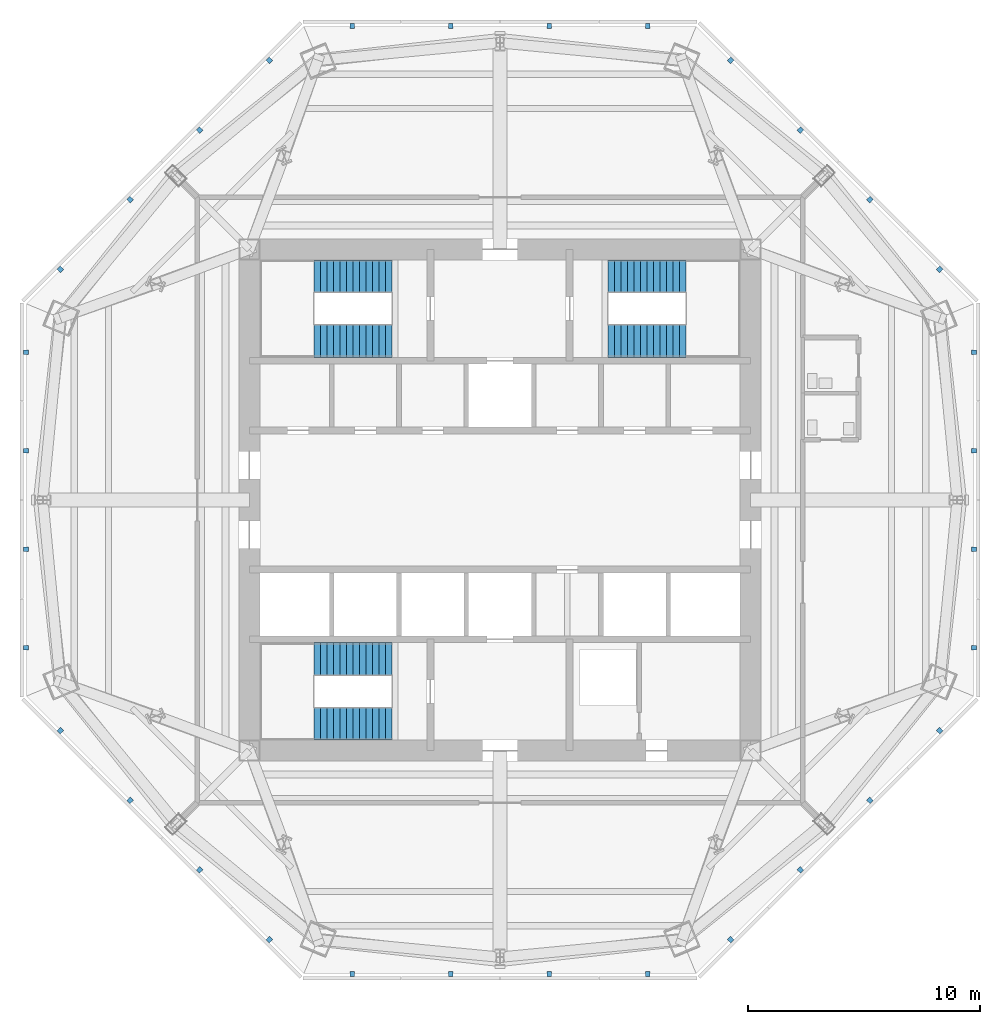
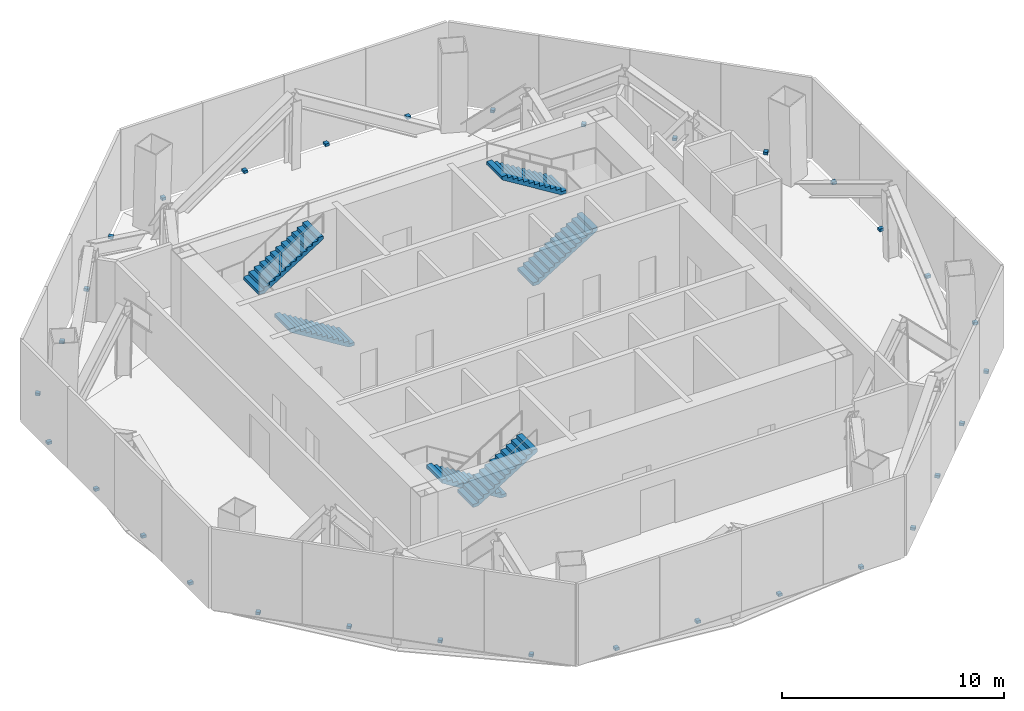
# One storey, part 5 of 8: 32 discrete accessories, 6 stair flights, 3 elements without a shape of their own.
"""IFC4 building model written with IfcOpenShell, lengths in metres."""

from ifc_helpers import new_model, si_unit, direction, frame, origin, origin_2d, place, context, subcontext, project, spatial, polyline, rectangle, outline, extrude, source, transform, mapped, material, type_object, type_shapes, element, aggregate, save


model = new_model("IFC4")

# Units and contexts
model_context = context("Model", 3, precision=1e-05, world=origin(), true_north=direction((0.0, 1.0)))
body_context = subcontext(model_context, "Body", "Model", "MODEL_VIEW")
ifc_project = project(units=[si_unit("LENGTHUNIT", "METRE"), si_unit("AREAUNIT", "SQUARE_METRE"), si_unit("VOLUMEUNIT", "CUBIC_METRE"), si_unit("PLANEANGLEUNIT", "RADIAN"), si_unit("MASSUNIT", "GRAM", prefix="KILO")], contexts=[model_context])

# Site, building, storey
site_placement = place(None, origin())
site = spatial("IfcSite", under=ifc_project, at=site_placement, CompositionType="ELEMENT")
building_placement = place(site_placement, origin())
building = spatial("IfcBuilding", under=site, at=building_placement, Name="Mashrafa Tower", CompositionType="ELEMENT")
storey_placement = place(building_placement, frame((0.0, 0.0, 261.800048828125)))
storey = spatial("IfcBuildingStorey", under=building, at=storey_placement, Name="L63", CompositionType="ELEMENT", Elevation=261.800048828125)

# Stair, stair flights
ifc_material_1 = material(Name="Exit stair 1400")
stair_type = type_object("IfcStairType", Name="Exit stair 1400", PredefinedType="HALF_TURN_STAIR", material=ifc_material_1)
stair_1_placement = place(storey_placement, origin())
stair_1 = element("IfcStair", 1, at=stair_1_placement, inside=storey, type_object=stair_type, Name="Stair S1 L63", PredefinedType="HALF_TURN_STAIR")
ifc_material_2 = material(Name="Concrete C32/40", Category="concrete")
stair_flight_type = type_object("IfcStairFlightType", Name="Stair flight 1400", PredefinedType="STRAIGHT", material=ifc_material_2)
stair_flight_1_placement = place(storey_placement, frame((-4.64990234375, 6.85009765625, 0.0), z_axis=(0.0, 0.0, 1.0), x_axis=(-1.0, 0.0, 0.0)))
stair_flight_1 = element("IfcStairFlight", 2, at=stair_flight_1_placement, type_object=stair_flight_type, Name="S1 flight 1", NumberOfRisers=13, NumberOfTreads=12, PredefinedType="STRAIGHT", RiserHeight=0.173076923, TreadLength=0.28, context=body_context, shape_type="SweptSolid", body=[
    extrude(outline(polyline([(0.0, 0.0), (0.0, 0.173095703125), (0.280029296875, 0.173095703125), (0.280029296875, 0.34619140625), (0.56005859375, 0.34619140625), (0.56005859375, 0.519287109375), (0.840087890625, 0.519287109375), (0.840087890625, 0.6923828125), (1.1201171875, 0.6923828125), (1.1201171875, 0.865478515625), (1.39990234375, 0.865478515625), (1.39990234375, 1.03857421875), (1.679931640625, 1.03857421875), (1.679931640625, 1.21142578125), (1.9599609375, 1.21142578125), (1.9599609375, 1.384521484375), (2.239990234375, 1.384521484375), (2.239990234375, 1.5576171875), (2.52001953125, 1.5576171875), (2.52001953125, 1.730712890625), (2.800048828125, 1.730712890625), (2.800048828125, 1.90380859375), (3.080078125, 1.90380859375), (3.080078125, 2.076904296875), (3.360107421875, 2.076904296875), (3.360107421875, 2.25), (3.360107421875, 1.900634765625), (0.28515625, 0.0), (0.0, 0.0)])), frame((0.0, 0.699951171875, 0.0), z_axis=(0.0, -1.0, 0.0), x_axis=(1.0, 0.0, 0.0)), (0.0, 0.0, 1.0), 1.39990234375),
])
stair_flight_2_placement = place(storey_placement, frame((-8.010009765625, 9.64990234375, 2.25), z_axis=(0.0, 0.0, 1.0), x_axis=(1.0, 0.0, 0.0)))
stair_flight_2 = element("IfcStairFlight", 3, at=stair_flight_2_placement, type_object=stair_flight_type, Name="S1 flight 2", NumberOfRisers=13, NumberOfTreads=12, PredefinedType="STRAIGHT", RiserHeight=0.173076923, TreadLength=0.28, context=body_context, shape_type="SweptSolid", body=[
    extrude(outline(polyline([(0.0, 0.0), (0.0, 0.173095703125), (0.280029296875, 0.173095703125), (0.280029296875, 0.34619140625), (0.56005859375, 0.34619140625), (0.56005859375, 0.519287109375), (0.840087890625, 0.519287109375), (0.840087890625, 0.6923828125), (1.1201171875, 0.6923828125), (1.1201171875, 0.865478515625), (1.39990234375, 0.865478515625), (1.39990234375, 1.03857421875), (1.679931640625, 1.03857421875), (1.679931640625, 1.21142578125), (1.9599609375, 1.21142578125), (1.9599609375, 1.384521484375), (2.239990234375, 1.384521484375), (2.239990234375, 1.5576171875), (2.52001953125, 1.5576171875), (2.52001953125, 1.730712890625), (2.800048828125, 1.730712890625), (2.800048828125, 1.90380859375), (3.080078125, 1.90380859375), (3.080078125, 2.076904296875), (3.360107421875, 2.076904296875), (3.360107421875, 2.25), (3.360107421875, 1.900634765625), (0.28515625, 0.0), (0.0, 0.0)])), frame((0.0, 0.699951171875, 0.0), z_axis=(0.0, -1.0, 0.0), x_axis=(1.0, 0.0, 0.0)), (0.0, 0.0, 1.0), 1.39990234375),
])
aggregate(stair_1, [stair_flight_1, stair_flight_2])

stair_2_placement = place(storey_placement, origin())
stair_2 = element("IfcStair", 4, at=stair_2_placement, inside=storey, type_object=stair_type, Name="Stair S2 L63", PredefinedType="HALF_TURN_STAIR")
stair_flight_3_placement = place(storey_placement, frame((4.64990234375, 6.85009765625, 0.0), z_axis=(0.0, 0.0, 1.0), x_axis=(1.0, 0.0, 0.0)))
stair_flight_3 = element("IfcStairFlight", 5, at=stair_flight_3_placement, type_object=stair_flight_type, Name="S2 flight 1", NumberOfRisers=13, NumberOfTreads=12, PredefinedType="STRAIGHT", RiserHeight=0.173076923, TreadLength=0.28, context=body_context, shape_type="SweptSolid", body=[
    extrude(outline(polyline([(0.0, 0.0), (0.0, 0.173095703125), (0.280029296875, 0.173095703125), (0.280029296875, 0.34619140625), (0.56005859375, 0.34619140625), (0.56005859375, 0.519287109375), (0.840087890625, 0.519287109375), (0.840087890625, 0.6923828125), (1.1201171875, 0.6923828125), (1.1201171875, 0.865478515625), (1.39990234375, 0.865478515625), (1.39990234375, 1.03857421875), (1.679931640625, 1.03857421875), (1.679931640625, 1.21142578125), (1.9599609375, 1.21142578125), (1.9599609375, 1.384521484375), (2.239990234375, 1.384521484375), (2.239990234375, 1.5576171875), (2.52001953125, 1.5576171875), (2.52001953125, 1.730712890625), (2.800048828125, 1.730712890625), (2.800048828125, 1.90380859375), (3.080078125, 1.90380859375), (3.080078125, 2.076904296875), (3.360107421875, 2.076904296875), (3.360107421875, 2.25), (3.360107421875, 1.900634765625), (0.28515625, 0.0), (0.0, 0.0)])), frame((0.0, 0.699951171875, 0.0), z_axis=(0.0, -1.0, 0.0), x_axis=(1.0, 0.0, 0.0)), (0.0, 0.0, 1.0), 1.39990234375),
])
stair_flight_4_placement = place(storey_placement, frame((8.010009765625, 9.64990234375, 2.25), z_axis=(0.0, 0.0, 1.0), x_axis=(-1.0, 0.0, 0.0)))
stair_flight_4 = element("IfcStairFlight", 6, at=stair_flight_4_placement, type_object=stair_flight_type, Name="S2 flight 2", NumberOfRisers=13, NumberOfTreads=12, PredefinedType="STRAIGHT", RiserHeight=0.173076923, TreadLength=0.28, context=body_context, shape_type="SweptSolid", body=[
    extrude(outline(polyline([(0.0, 0.0), (0.0, 0.173095703125), (0.280029296875, 0.173095703125), (0.280029296875, 0.34619140625), (0.56005859375, 0.34619140625), (0.56005859375, 0.519287109375), (0.840087890625, 0.519287109375), (0.840087890625, 0.6923828125), (1.1201171875, 0.6923828125), (1.1201171875, 0.865478515625), (1.39990234375, 0.865478515625), (1.39990234375, 1.03857421875), (1.679931640625, 1.03857421875), (1.679931640625, 1.21142578125), (1.9599609375, 1.21142578125), (1.9599609375, 1.384521484375), (2.239990234375, 1.384521484375), (2.239990234375, 1.5576171875), (2.52001953125, 1.5576171875), (2.52001953125, 1.730712890625), (2.800048828125, 1.730712890625), (2.800048828125, 1.90380859375), (3.080078125, 1.90380859375), (3.080078125, 2.076904296875), (3.360107421875, 2.076904296875), (3.360107421875, 2.25), (3.360107421875, 1.900634765625), (0.28515625, 0.0), (0.0, 0.0)])), frame((0.0, 0.699951171875, 0.0), z_axis=(0.0, -1.0, 0.0), x_axis=(1.0, 0.0, 0.0)), (0.0, 0.0, 1.0), 1.39990234375),
])
aggregate(stair_2, [stair_flight_3, stair_flight_4])

stair_3_placement = place(storey_placement, origin())
stair_3 = element("IfcStair", 7, at=stair_3_placement, inside=storey, type_object=stair_type, Name="Stair S3 L63", PredefinedType="HALF_TURN_STAIR")
stair_flight_5_placement = place(storey_placement, frame((-4.64990234375, -6.85009765625, 0.0), z_axis=(0.0, 0.0, 1.0), x_axis=(-1.0, 0.0, 0.0)))
stair_flight_5 = element("IfcStairFlight", 8, at=stair_flight_5_placement, type_object=stair_flight_type, Name="S3 flight 1", NumberOfRisers=13, NumberOfTreads=12, PredefinedType="STRAIGHT", RiserHeight=0.173076923, TreadLength=0.28, context=body_context, shape_type="SweptSolid", body=[
    extrude(outline(polyline([(0.0, 0.0), (0.0, 0.173095703125), (0.280029296875, 0.173095703125), (0.280029296875, 0.34619140625), (0.56005859375, 0.34619140625), (0.56005859375, 0.519287109375), (0.840087890625, 0.519287109375), (0.840087890625, 0.6923828125), (1.1201171875, 0.6923828125), (1.1201171875, 0.865478515625), (1.39990234375, 0.865478515625), (1.39990234375, 1.03857421875), (1.679931640625, 1.03857421875), (1.679931640625, 1.21142578125), (1.9599609375, 1.21142578125), (1.9599609375, 1.384521484375), (2.239990234375, 1.384521484375), (2.239990234375, 1.5576171875), (2.52001953125, 1.5576171875), (2.52001953125, 1.730712890625), (2.800048828125, 1.730712890625), (2.800048828125, 1.90380859375), (3.080078125, 1.90380859375), (3.080078125, 2.076904296875), (3.360107421875, 2.076904296875), (3.360107421875, 2.25), (3.360107421875, 1.900634765625), (0.28515625, 0.0), (0.0, 0.0)])), frame((0.0, 0.699951171875, 0.0), z_axis=(0.0, -1.0, 0.0), x_axis=(1.0, 0.0, 0.0)), (0.0, 0.0, 1.0), 1.39990234375),
])
stair_flight_6_placement = place(storey_placement, frame((-8.010009765625, -9.64990234375, 2.25), z_axis=(0.0, 0.0, 1.0), x_axis=(1.0, 0.0, 0.0)))
stair_flight_6 = element("IfcStairFlight", 9, at=stair_flight_6_placement, type_object=stair_flight_type, Name="S3 flight 2", NumberOfRisers=13, NumberOfTreads=12, PredefinedType="STRAIGHT", RiserHeight=0.173076923, TreadLength=0.28, context=body_context, shape_type="SweptSolid", body=[
    extrude(outline(polyline([(0.0, 0.0), (0.0, 0.173095703125), (0.280029296875, 0.173095703125), (0.280029296875, 0.34619140625), (0.56005859375, 0.34619140625), (0.56005859375, 0.519287109375), (0.840087890625, 0.519287109375), (0.840087890625, 0.6923828125), (1.1201171875, 0.6923828125), (1.1201171875, 0.865478515625), (1.39990234375, 0.865478515625), (1.39990234375, 1.03857421875), (1.679931640625, 1.03857421875), (1.679931640625, 1.21142578125), (1.9599609375, 1.21142578125), (1.9599609375, 1.384521484375), (2.239990234375, 1.384521484375), (2.239990234375, 1.5576171875), (2.52001953125, 1.5576171875), (2.52001953125, 1.730712890625), (2.800048828125, 1.730712890625), (2.800048828125, 1.90380859375), (3.080078125, 1.90380859375), (3.080078125, 2.076904296875), (3.360107421875, 2.076904296875), (3.360107421875, 2.25), (3.360107421875, 1.900634765625), (0.28515625, 0.0), (0.0, 0.0)])), frame((0.0, 0.699951171875, 0.0), z_axis=(0.0, -1.0, 0.0), x_axis=(1.0, 0.0, 0.0)), (0.0, 0.0, 1.0), 1.39990234375),
])
aggregate(stair_3, [stair_flight_5, stair_flight_6])

# Discrete accessories
ifc_material_3 = material(Name="Galvanised steel louvre bracket", Category="steel")
discrete_accessory_type = type_object("IfcDiscreteAccessoryType", Name="Louvre support bracket 200 x 150", PredefinedType="BRACKET", material=ifc_material_3)
shared_shape = source(origin(), body_context, "Body", "SweptSolid", [
    extrude(rectangle(XDim=0.199951171875, YDim=0.22509765625, at=origin_2d()), origin(), (0.0, 0.0, 1.0), 0.14990234375),
])
type_shapes(discrete_accessory_type, [shared_shape])
for number, where, z_axis, x_axis, name in (
    (10, (20.42138671875, -6.37158203125, 0.0), (0.0, 0.0, 1.0), (0.0, 1.0, 0.0), "Louvre support bracket L63 east 1"),
    (11, (20.42138671875, -2.123779296875, 0.0), (0.0, 0.0, 1.0), (0.0, 1.0, 0.0), "Louvre support bracket L63 east 2"),
    (12, (20.42138671875, 2.123779296875, 0.0), (0.0, 0.0, 1.0), (0.0, 1.0, 0.0), "Louvre support bracket L63 east 3"),
    (13, (20.42138671875, 6.37158203125, 0.0), (0.0, 0.0, 1.0), (0.0, 1.0, 0.0), "Louvre support bracket L63 east 4"),
    (14, (18.9453125, 9.9345703125, 0.0), (0.0, 0.0, 1.0), (-0.707106781187, 0.707106781187, 0.0), "Louvre support bracket L63 north-east 1"),
    (15, (15.94189453125, 12.938232421875, 0.0), (0.0, 0.0, 1.0), (-0.707106781187, 0.707106781187, 0.0), "Louvre support bracket L63 north-east 2"),
    (16, (12.938232421875, 15.94189453125, 0.0), (0.0, 0.0, 1.0), (-0.707106781187, 0.707106781187, 0.0), "Louvre support bracket L63 north-east 3"),
    (17, (9.9345703125, 18.9453125, 0.0), (0.0, 0.0, 1.0), (-0.707106781187, 0.707106781187, 0.0), "Louvre support bracket L63 north-east 4"),
    (18, (6.37158203125, 20.42138671875, 0.0), (0.0, 0.0, 1.0), (-1.0, 0.0, 0.0), "Louvre support bracket L63 north 1"),
    (19, (2.123779296875, 20.42138671875, 0.0), (0.0, 0.0, 1.0), (-1.0, 0.0, 0.0), "Louvre support bracket L63 north 2"),
    (20, (-2.123779296875, 20.42138671875, 0.0), (0.0, 0.0, 1.0), (-1.0, 0.0, 0.0), "Louvre support bracket L63 north 3"),
    (21, (-6.37158203125, 20.42138671875, 0.0), (0.0, 0.0, 1.0), (-1.0, 0.0, 0.0), "Louvre support bracket L63 north 4"),
    (22, (-9.9345703125, 18.9453125, 0.0), (0.0, 0.0, 1.0), (-0.707106781187, -0.707106781187, 0.0), "Louvre support bracket L63 north-west 1"),
    (23, (-12.938232421875, 15.94189453125, 0.0), (0.0, 0.0, 1.0), (-0.707106781187, -0.707106781187, 0.0), "Louvre support bracket L63 north-west 2"),
    (24, (-15.94189453125, 12.938232421875, 0.0), (0.0, 0.0, 1.0), (-0.707106781187, -0.707106781187, 0.0), "Louvre support bracket L63 north-west 3"),
    (25, (-18.9453125, 9.9345703125, 0.0), (0.0, 0.0, 1.0), (-0.707106781187, -0.707106781187, 0.0), "Louvre support bracket L63 north-west 4"),
    (26, (-20.42138671875, 6.37158203125, 0.0), (0.0, 0.0, 1.0), (0.0, -1.0, 0.0), "Louvre support bracket L63 west 1"),
    (27, (-20.42138671875, 2.123779296875, 0.0), (0.0, 0.0, 1.0), (0.0, -1.0, 0.0), "Louvre support bracket L63 west 2"),
    (28, (-20.42138671875, -2.123779296875, 0.0), (0.0, 0.0, 1.0), (0.0, -1.0, 0.0), "Louvre support bracket L63 west 3"),
    (29, (-20.42138671875, -6.37158203125, 0.0), (0.0, 0.0, 1.0), (0.0, -1.0, 0.0), "Louvre support bracket L63 west 4"),
    (30, (-18.9453125, -9.9345703125, 0.0), (0.0, 0.0, 1.0), (0.707106781187, -0.707106781187, 0.0), "Louvre support bracket L63 south-west 1"),
    (31, (-15.94189453125, -12.938232421875, 0.0), (0.0, 0.0, 1.0), (0.707106781187, -0.707106781187, 0.0), "Louvre support bracket L63 south-west 2"),
    (32, (-12.938232421875, -15.94189453125, 0.0), (0.0, 0.0, 1.0), (0.707106781187, -0.707106781187, 0.0), "Louvre support bracket L63 south-west 3"),
    (33, (-9.9345703125, -18.9453125, 0.0), (0.0, 0.0, 1.0), (0.707106781187, -0.707106781187, 0.0), "Louvre support bracket L63 south-west 4"),
    (34, (-6.37158203125, -20.42138671875, 0.0), (0.0, 0.0, 1.0), (1.0, 0.0, 0.0), "Louvre support bracket L63 south 1"),
    (35, (-2.123779296875, -20.42138671875, 0.0), (0.0, 0.0, 1.0), (1.0, 0.0, 0.0), "Louvre support bracket L63 south 2"),
    (36, (2.123779296875, -20.42138671875, 0.0), (0.0, 0.0, 1.0), (1.0, 0.0, 0.0), "Louvre support bracket L63 south 3"),
    (37, (6.37158203125, -20.42138671875, 0.0), (0.0, 0.0, 1.0), (1.0, 0.0, 0.0), "Louvre support bracket L63 south 4"),
    (38, (9.9345703125, -18.9453125, 0.0), (0.0, 0.0, 1.0), (0.707106781187, 0.707106781187, 0.0), "Louvre support bracket L63 south-east 1"),
    (39, (12.938232421875, -15.94189453125, 0.0), (0.0, 0.0, 1.0), (0.707106781187, 0.707106781187, 0.0), "Louvre support bracket L63 south-east 2"),
    (40, (15.94189453125, -12.938232421875, 0.0), (0.0, 0.0, 1.0), (0.707106781187, 0.707106781187, 0.0), "Louvre support bracket L63 south-east 3"),
    (41, (18.9453125, -9.9345703125, 0.0), (0.0, 0.0, 1.0), (0.707106781187, 0.707106781187, 0.0), "Louvre support bracket L63 south-east 4"),
):
    element("IfcDiscreteAccessory", number, at=place(storey_placement, frame(where, z_axis=z_axis, x_axis=x_axis)), inside=storey, type_object=discrete_accessory_type, Name=name, PredefinedType="BRACKET", context=body_context, shape_type="MappedRepresentation", body=[
        mapped(shared_shape, transform((0.0, 0.0, 0.0))),
    ])

save(model, "model.ifc")
